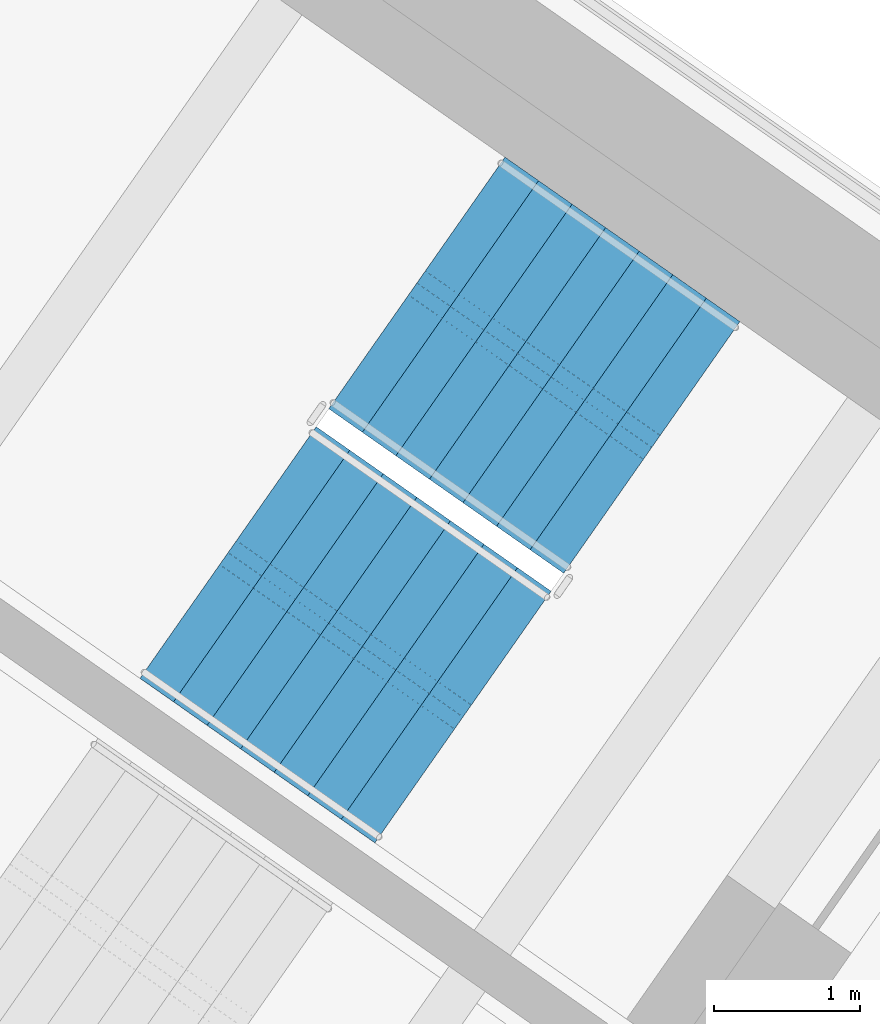
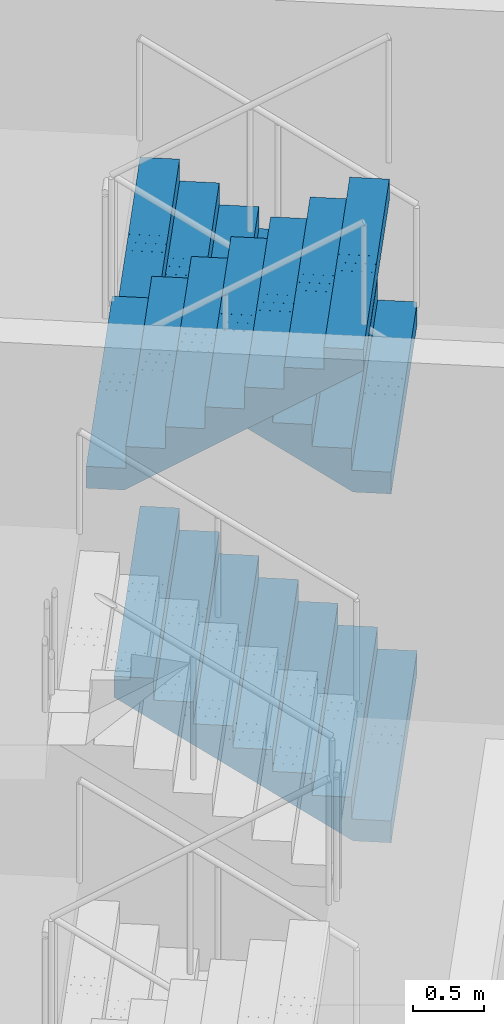
# One storey, part 16 of 22: 3 stair flights, 1 element without a shape of its own.
"""IFC4 building model written with IfcOpenShell, lengths in metres."""

from ifc_helpers import new_model, si_unit, direction, frame, origin, place, context, subcontext, project, spatial, polyline, outline, extrude, material, type_object, element, aggregate, save


model = new_model("IFC4")

# Units and contexts
model_context = context("Model", 3, precision=1e-05, world=origin(), true_north=direction((0.0, 1.0)))
body_context = subcontext(model_context, "Body", "Model", "MODEL_VIEW")
ifc_project = project(units=[si_unit("LENGTHUNIT", "METRE"), si_unit("AREAUNIT", "SQUARE_METRE"), si_unit("VOLUMEUNIT", "CUBIC_METRE"), si_unit("PLANEANGLEUNIT", "RADIAN"), si_unit("MASSUNIT", "GRAM", prefix="KILO")], contexts=[model_context])

# Site, building, storey
site_placement = place(None, origin())
site = spatial("IfcSite", under=ifc_project, at=site_placement, CompositionType="ELEMENT")
building_placement = place(site_placement, origin())
building = spatial("IfcBuilding", under=site, at=building_placement, Name="Tel Ilan Convention Tower", CompositionType="ELEMENT")
storey_placement = place(building_placement, frame((0.0, 0.0, 219.39990234375)))
storey = spatial("IfcBuildingStorey", under=building, at=storey_placement, Name="L51", CompositionType="ELEMENT", Elevation=219.39990234375)

# Stair, stair flights
ifc_material_1 = material(Name="Concrete C40/50", Category="concrete")
stair_type = type_object("IfcStairType", Name="Pressurised Exit Stair 32 risers 188 mm", PredefinedType="HALF_TURN_STAIR", material=ifc_material_1)
stair_placement = place(storey_placement, origin())
stair = element("IfcStair", 1, at=stair_placement, inside=storey, type_object=stair_type, Name="L51 Pressurised Stair S3", PredefinedType="HALF_TURN_STAIR")
ifc_material_2 = material(Name="Precast Concrete C40/50", Category="concrete")
stair_flight_type = type_object("IfcStairFlightType", Name="Concrete Stair Flight 2100 mm 32 risers 188 mm", PredefinedType="STRAIGHT", material=ifc_material_2)
stair_flight_1_placement = place(storey_placement, frame((24.25244140625, -7.032470703125, 0.0), z_axis=(0.0, 0.0, 1.0), x_axis=(-0.819152044289, 0.573576436351, 0.0)))
stair_flight_1 = element("IfcStairFlight", 2, at=stair_flight_1_placement, type_object=stair_flight_type, Name="S3 flight 1", NumberOfRisers=8, NumberOfTreads=7, PredefinedType="STRAIGHT", RiserHeight=0.1875, TreadLength=0.28, context=body_context, shape_type="SweptSolid", body=[
    extrude(outline(polyline([(0.0, 0.0), (0.0, 0.1875), (0.280029296875, 0.1875), (0.280029296875, 0.375), (0.56005859375, 0.375), (0.56005859375, 0.5625), (0.840087890625, 0.5625), (0.840087890625, 0.75), (1.1201171875, 0.75), (1.1201171875, 0.9375), (1.39990234375, 0.9375), (1.39990234375, 1.125), (1.679931640625, 1.125), (1.679931640625, 1.3125), (1.9599609375, 1.3125), (1.9599609375, 1.5), (1.9599609375, 1.132080078125), (0.26953125, 0.0), (0.0, 0.0)])), frame((0.0, -0.100341796875, 0.0), z_axis=(0.0, -1.0, 0.0), x_axis=(1.0, 0.0, 0.0)), (0.0, 0.0, 1.0), 0.94970703125),
    extrude(outline(polyline([(0.0, 0.0), (0.0, 0.1875), (0.280029296875, 0.1875), (0.280029296875, 0.375), (0.56005859375, 0.375), (0.56005859375, 0.5625), (0.840087890625, 0.5625), (0.840087890625, 0.75), (1.1201171875, 0.75), (1.1201171875, 0.9375), (1.39990234375, 0.9375), (1.39990234375, 1.125), (1.679931640625, 1.125), (1.679931640625, 1.3125), (1.9599609375, 1.3125), (1.9599609375, 1.5), (1.9599609375, 1.132080078125), (0.26953125, 0.0), (0.0, 0.0)])), frame((0.0, -0.000244140625, 0.0), z_axis=(0.0, -1.0, 0.0), x_axis=(1.0, 0.0, 0.0)), (0.0, 0.0, 1.0), 0.099609375),
    extrude(outline(polyline([(0.0, 0.0), (0.0, 0.1875), (0.280029296875, 0.1875), (0.280029296875, 0.375), (0.56005859375, 0.375), (0.56005859375, 0.5625), (0.840087890625, 0.5625), (0.840087890625, 0.75), (1.1201171875, 0.75), (1.1201171875, 0.9375), (1.39990234375, 0.9375), (1.39990234375, 1.125), (1.679931640625, 1.125), (1.679931640625, 1.3125), (1.9599609375, 1.3125), (1.9599609375, 1.5), (1.9599609375, 1.132080078125), (0.26953125, 0.0), (0.0, 0.0)])), frame((0.0, 0.099853515625, 0.0), z_axis=(0.0, -1.0, 0.0), x_axis=(1.0, 0.0, 0.0)), (0.0, 0.0, 1.0), 0.099609375),
    extrude(outline(polyline([(0.0, 0.0), (0.0, 0.1875), (0.280029296875, 0.1875), (0.280029296875, 0.375), (0.56005859375, 0.375), (0.56005859375, 0.5625), (0.840087890625, 0.5625), (0.840087890625, 0.75), (1.1201171875, 0.75), (1.1201171875, 0.9375), (1.39990234375, 0.9375), (1.39990234375, 1.125), (1.679931640625, 1.125), (1.679931640625, 1.3125), (1.9599609375, 1.3125), (1.9599609375, 1.5), (1.9599609375, 1.132080078125), (0.26953125, 0.0), (0.0, 0.0)])), frame((0.0, 1.050048828125, 0.0), z_axis=(0.0, -1.0, 0.0), x_axis=(1.0, 0.0, 0.0)), (0.0, 0.0, 1.0), 0.94970703125),
])
stair_flight_2_placement = place(storey_placement, frame((24.25244140625, -7.032470703125, 3.0), z_axis=(0.0, 0.0, 1.0), x_axis=(-0.819152044289, 0.573576436351, 0.0)))
stair_flight_2 = element("IfcStairFlight", 3, at=stair_flight_2_placement, type_object=stair_flight_type, Name="S3 flight 3", NumberOfRisers=8, NumberOfTreads=7, PredefinedType="STRAIGHT", RiserHeight=0.1875, TreadLength=0.28, context=body_context, shape_type="SweptSolid", body=[
    extrude(outline(polyline([(0.0, 0.0), (0.0, 0.1875), (0.280029296875, 0.1875), (0.280029296875, 0.375), (0.56005859375, 0.375), (0.56005859375, 0.5625), (0.840087890625, 0.5625), (0.840087890625, 0.75), (1.1201171875, 0.75), (1.1201171875, 0.9375), (1.39990234375, 0.9375), (1.39990234375, 1.125), (1.679931640625, 1.125), (1.679931640625, 1.3125), (1.9599609375, 1.3125), (1.9599609375, 1.5), (1.9599609375, 1.132080078125), (0.26953125, 0.0), (0.0, 0.0)])), frame((0.0, -0.100341796875, 0.0), z_axis=(0.0, -1.0, 0.0), x_axis=(1.0, 0.0, 0.0)), (0.0, 0.0, 1.0), 0.94970703125),
    extrude(outline(polyline([(0.0, 0.0), (0.0, 0.1875), (0.280029296875, 0.1875), (0.280029296875, 0.375), (0.56005859375, 0.375), (0.56005859375, 0.5625), (0.840087890625, 0.5625), (0.840087890625, 0.75), (1.1201171875, 0.75), (1.1201171875, 0.9375), (1.39990234375, 0.9375), (1.39990234375, 1.125), (1.679931640625, 1.125), (1.679931640625, 1.3125), (1.9599609375, 1.3125), (1.9599609375, 1.5), (1.9599609375, 1.132080078125), (0.26953125, 0.0), (0.0, 0.0)])), frame((0.0, -0.000244140625, 0.0), z_axis=(0.0, -1.0, 0.0), x_axis=(1.0, 0.0, 0.0)), (0.0, 0.0, 1.0), 0.099609375),
    extrude(outline(polyline([(0.0, 0.0), (0.0, 0.1875), (0.280029296875, 0.1875), (0.280029296875, 0.375), (0.56005859375, 0.375), (0.56005859375, 0.5625), (0.840087890625, 0.5625), (0.840087890625, 0.75), (1.1201171875, 0.75), (1.1201171875, 0.9375), (1.39990234375, 0.9375), (1.39990234375, 1.125), (1.679931640625, 1.125), (1.679931640625, 1.3125), (1.9599609375, 1.3125), (1.9599609375, 1.5), (1.9599609375, 1.132080078125), (0.26953125, 0.0), (0.0, 0.0)])), frame((0.0, 0.099853515625, 0.0), z_axis=(0.0, -1.0, 0.0), x_axis=(1.0, 0.0, 0.0)), (0.0, 0.0, 1.0), 0.099609375),
    extrude(outline(polyline([(0.0, 0.0), (0.0, 0.1875), (0.280029296875, 0.1875), (0.280029296875, 0.375), (0.56005859375, 0.375), (0.56005859375, 0.5625), (0.840087890625, 0.5625), (0.840087890625, 0.75), (1.1201171875, 0.75), (1.1201171875, 0.9375), (1.39990234375, 0.9375), (1.39990234375, 1.125), (1.679931640625, 1.125), (1.679931640625, 1.3125), (1.9599609375, 1.3125), (1.9599609375, 1.5), (1.9599609375, 1.132080078125), (0.26953125, 0.0), (0.0, 0.0)])), frame((0.0, 1.050048828125, 0.0), z_axis=(0.0, -1.0, 0.0), x_axis=(1.0, 0.0, 0.0)), (0.0, 0.0, 1.0), 0.94970703125),
])
stair_flight_3_placement = place(storey_placement, frame((21.356201171875, -7.751220703125, 4.5), z_axis=(0.0, 0.0, 1.0), x_axis=(0.819152044289, -0.573576436351, 0.0)))
stair_flight_3 = element("IfcStairFlight", 4, at=stair_flight_3_placement, type_object=stair_flight_type, Name="S3 flight 4", NumberOfRisers=8, NumberOfTreads=7, PredefinedType="STRAIGHT", RiserHeight=0.1875, TreadLength=0.28, context=body_context, shape_type="SweptSolid", body=[
    extrude(outline(polyline([(0.0, 0.0), (0.0, 0.1875), (0.280029296875, 0.1875), (0.280029296875, 0.375), (0.56005859375, 0.375), (0.56005859375, 0.5625), (0.840087890625, 0.5625), (0.840087890625, 0.75), (1.1201171875, 0.75), (1.1201171875, 0.9375), (1.39990234375, 0.9375), (1.39990234375, 1.125), (1.679931640625, 1.125), (1.679931640625, 1.3125), (1.9599609375, 1.3125), (1.9599609375, 1.5), (1.9599609375, 1.132080078125), (0.26953125, 0.0), (0.0, 0.0)])), frame((0.0, -0.100341796875, 0.0), z_axis=(0.0, -1.0, 0.0), x_axis=(1.0, 0.0, 0.0)), (0.0, 0.0, 1.0), 0.94970703125),
    extrude(outline(polyline([(0.0, 0.0), (0.0, 0.1875), (0.280029296875, 0.1875), (0.280029296875, 0.375), (0.56005859375, 0.375), (0.56005859375, 0.5625), (0.840087890625, 0.5625), (0.840087890625, 0.75), (1.1201171875, 0.75), (1.1201171875, 0.9375), (1.39990234375, 0.9375), (1.39990234375, 1.125), (1.679931640625, 1.125), (1.679931640625, 1.3125), (1.9599609375, 1.3125), (1.9599609375, 1.5), (1.9599609375, 1.132080078125), (0.26953125, 0.0), (0.0, 0.0)])), frame((0.0, -0.000244140625, 0.0), z_axis=(0.0, -1.0, 0.0), x_axis=(1.0, 0.0, 0.0)), (0.0, 0.0, 1.0), 0.099609375),
    extrude(outline(polyline([(0.0, 0.0), (0.0, 0.1875), (0.280029296875, 0.1875), (0.280029296875, 0.375), (0.56005859375, 0.375), (0.56005859375, 0.5625), (0.840087890625, 0.5625), (0.840087890625, 0.75), (1.1201171875, 0.75), (1.1201171875, 0.9375), (1.39990234375, 0.9375), (1.39990234375, 1.125), (1.679931640625, 1.125), (1.679931640625, 1.3125), (1.9599609375, 1.3125), (1.9599609375, 1.5), (1.9599609375, 1.132080078125), (0.26953125, 0.0), (0.0, 0.0)])), frame((0.0, 0.099853515625, 0.0), z_axis=(0.0, -1.0, 0.0), x_axis=(1.0, 0.0, 0.0)), (0.0, 0.0, 1.0), 0.099609375),
    extrude(outline(polyline([(0.0, 0.0), (0.0, 0.1875), (0.280029296875, 0.1875), (0.280029296875, 0.375), (0.56005859375, 0.375), (0.56005859375, 0.5625), (0.840087890625, 0.5625), (0.840087890625, 0.75), (1.1201171875, 0.75), (1.1201171875, 0.9375), (1.39990234375, 0.9375), (1.39990234375, 1.125), (1.679931640625, 1.125), (1.679931640625, 1.3125), (1.9599609375, 1.3125), (1.9599609375, 1.5), (1.9599609375, 1.132080078125), (0.26953125, 0.0), (0.0, 0.0)])), frame((0.0, 1.050048828125, 0.0), z_axis=(0.0, -1.0, 0.0), x_axis=(1.0, 0.0, 0.0)), (0.0, 0.0, 1.0), 0.94970703125),
])
aggregate(stair, [stair_flight_1, stair_flight_2, stair_flight_3])

save(model, "model.ifc")
